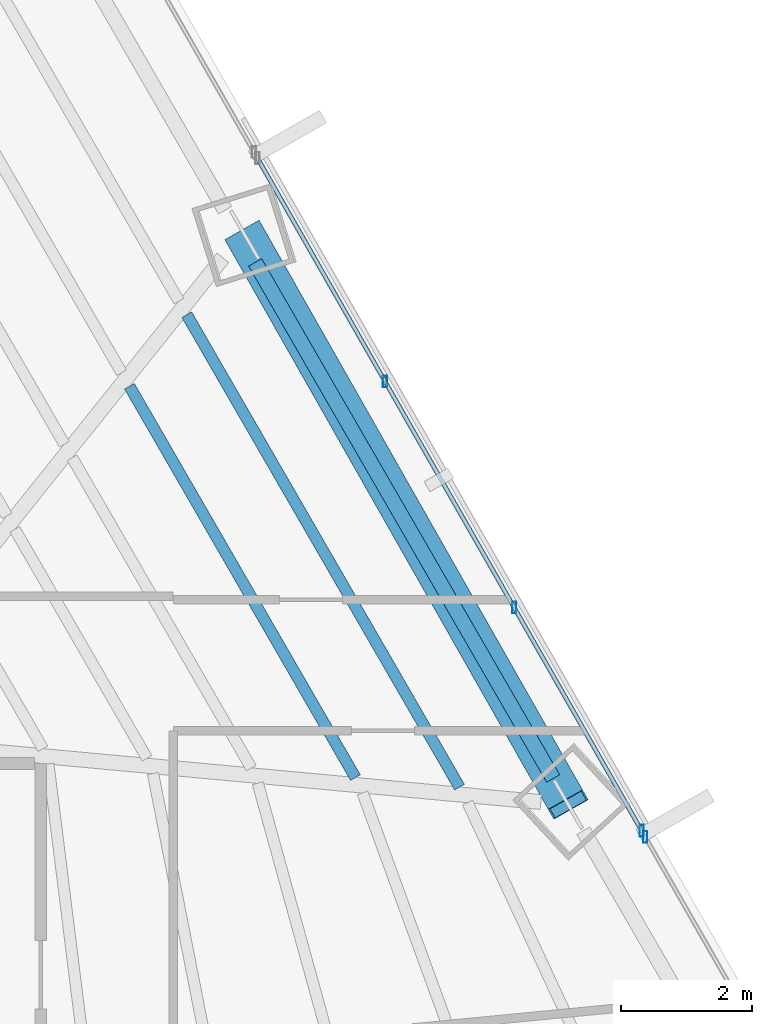
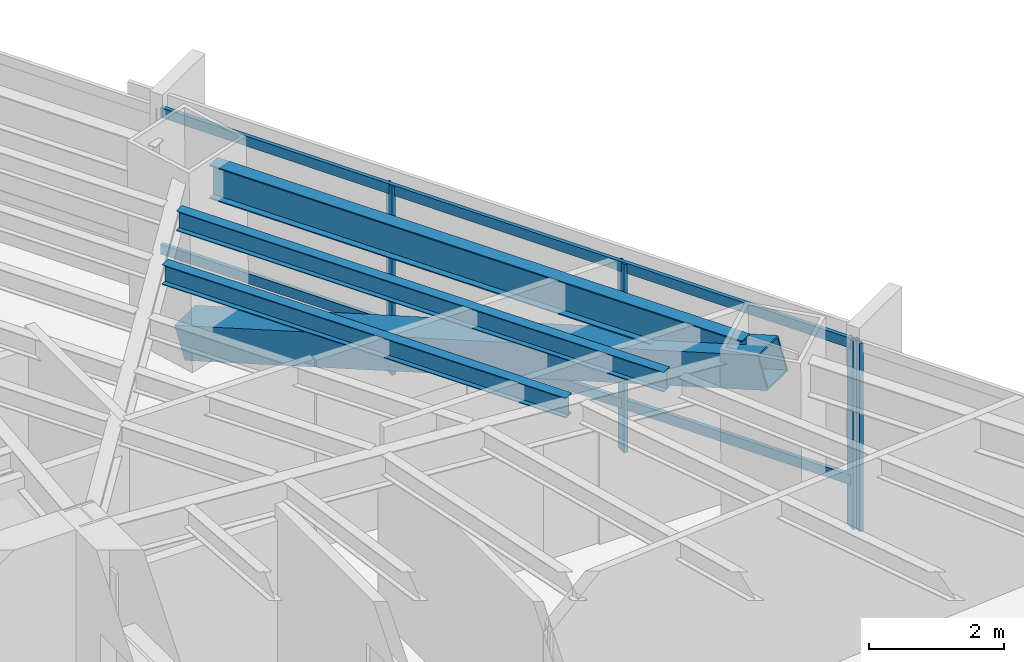
# One storey, part 21 of 35: 7 members, 3 beams, 2 elements without a shape of their own.
"""IFC4 building model written with IfcOpenShell, lengths in metres."""

import ifcopenshell
import ifcopenshell.guid

model = None  # the IFC model being written
_history = None  # IfcOwnerHistory: only IFC2X3 demands one
_inside = {}  # id of a spatial element -> (the spatial element, [elements in it])
_under = {}  # id of a project, library or spatial element -> (it, [spatial elements below it])
_declared = {}  # id of a project -> (the project, [libraries it declares])
_typed = {}  # id of a type object -> (the type object, [elements of that type])
_made_of = {}  # id of a material, layer set ... -> (it, [elements and type objects made of it])


def new_model(schema):
    """Start an empty IFC model of exactly this schema.

    Asked for "IFC4X3", IfcOpenShell would pick the latest addendum, in which some entities
    have other attributes; the version numbers below select the first issue.
    IFC2X3 requires an IfcOwnerHistory on every rooted entity: one is made here for all.
    """
    global model, _history
    if schema == "IFC4X3":
        model = ifcopenshell.file(schema_version=(4, 3, 0, 0))
    else:
        model = ifcopenshell.file(schema=schema)
    _inside.clear()
    _under.clear()
    _declared.clear()
    _typed.clear()
    _made_of.clear()
    _history = None
    if model.schema == "IFC2X3":
        org = make("IfcOrganization", Name="unknown")
        user = make(
            "IfcPersonAndOrganization",
            ThePerson=make("IfcPerson", FamilyName="unknown"),
            TheOrganization=org,
        )
        app = make(
            "IfcApplication",
            ApplicationDeveloper=org,
            Version="unknown",
            ApplicationFullName="unknown",
            ApplicationIdentifier="unknown",
        )
        _history = make(
            "IfcOwnerHistory",
            OwningUser=user,
            OwningApplication=app,
            ChangeAction="ADDED",
            CreationDate=0,
        )
    return model


def make(cls, **values):
    """One entity of the class cls with the attributes given. An attribute that is None is left unset."""
    return model.create_entity(
        cls, **{name: value for name, value in values.items() if value is not None}
    )


def rooted(cls, **values):
    """An entity with a GlobalId (a new one), such as an element, a storey or a relation."""
    return make(cls, GlobalId=ifcopenshell.guid.new(), OwnerHistory=_history, **values)


def si_unit(unit_type, name, prefix=None):
    """IfcSIUnit, for example si_unit("LENGTHUNIT", "METRE", prefix="MILLI")."""
    return make("IfcSIUnit", UnitType=unit_type, Prefix=prefix, Name=name)


def assignment(units):
    """IfcUnitAssignment: the units of a project."""
    return None if units is None else make("IfcUnitAssignment", Units=units)


def point(xyz):
    """IfcCartesianPoint."""
    return None if xyz is None else make("IfcCartesianPoint", Coordinates=xyz)


def direction(xyz):
    """IfcDirection."""
    return None if xyz is None else make("IfcDirection", DirectionRatios=xyz)


def frame(location, z_axis=None, x_axis=None):
    """IfcAxis2Placement3D, a coordinate frame: its origin and axes. An axis left out is left unset."""
    return make(
        "IfcAxis2Placement3D",
        Location=point(location),
        Axis=direction(z_axis),
        RefDirection=direction(x_axis),
    )


def frame_2d(location, x_axis=None):
    """IfcAxis2Placement2D, a coordinate frame in the plane: its origin and x axis."""
    return make(
        "IfcAxis2Placement2D", Location=point(location), RefDirection=direction(x_axis)
    )


def origin():
    """The frame at (0, 0, 0) with its axes left unset."""
    return frame((0.0, 0.0, 0.0))


def origin_2d():
    """The frame at (0, 0) in the plane with its x axis left unset."""
    return frame_2d((0.0, 0.0))


def place(relative_to, where):
    """IfcLocalPlacement: puts the frame where relative to a parent placement (None: the world)."""
    return make(
        "IfcLocalPlacement", PlacementRelTo=relative_to, RelativePlacement=where
    )


def context(
    kind, dimensions, precision=None, world=None, true_north=None, identifier=None
):
    """IfcGeometricRepresentationContext, for example the 3D "Model" context."""
    return make(
        "IfcGeometricRepresentationContext",
        ContextIdentifier=identifier,
        ContextType=kind,
        CoordinateSpaceDimension=dimensions,
        Precision=precision,
        WorldCoordinateSystem=world,
        TrueNorth=true_north,
    )


def subcontext(parent, identifier, kind, view, scale=None):
    """IfcGeometricRepresentationSubContext, for example "Body" below "Model"."""
    return make(
        "IfcGeometricRepresentationSubContext",
        ContextIdentifier=identifier,
        ContextType=kind,
        ParentContext=parent,
        TargetScale=scale,
        TargetView=view,
    )


def project(units=None, contexts=None):
    """IfcProject with its units and contexts."""
    return rooted(
        "IfcProject",
        Name="project",
        RepresentationContexts=contexts,
        UnitsInContext=assignment(units),
    )


def spatial(cls, under=None, at=None, **own):
    """A site, building, storey or space (cls), placed at a placement, below another one or the project."""
    s = rooted(cls, ObjectPlacement=at, **own)
    if under is not None:
        _under.setdefault(under.id(), (under, []))[1].append(s)
    return s


def profile(cls, at=None, kind="AREA", **sizes):
    """A parametric profile (cls). Its sizes go by their IFC names, for example OverallWidth=200.0."""
    return make(cls, ProfileType=kind, Position=at, **sizes)


def hollow_rectangle(**sizes):
    """IfcRectangleHollowProfileDef."""
    return profile("IfcRectangleHollowProfileDef", **sizes)


def i_section(**sizes):
    """IfcIShapeProfileDef."""
    return profile("IfcIShapeProfileDef", **sizes)


def extrude(swept, where, along, depth):
    """IfcExtrudedAreaSolid: the profile swept, set in the frame where, extruded along a direction by depth."""
    return make(
        "IfcExtrudedAreaSolid",
        SweptArea=swept,
        Position=where,
        ExtrudedDirection=direction(along),
        Depth=depth,
    )


def shape(context_of_items, identifier, shape_type, items):
    """IfcShapeRepresentation: the items that make up one representation, for example the "Body"."""
    return make(
        "IfcShapeRepresentation",
        ContextOfItems=context_of_items,
        RepresentationIdentifier=identifier,
        RepresentationType=shape_type,
        Items=items,
    )


def source(mapping_origin, context_of_items, identifier, shape_type, items):
    """IfcRepresentationMap: a shape defined once, which mapped items show again and again."""
    return make(
        "IfcRepresentationMap",
        MappingOrigin=mapping_origin,
        MappedRepresentation=shape(context_of_items, identifier, shape_type, items),
    )


def transform(
    local_origin,
    x_axis=None,
    y_axis=None,
    z_axis=None,
    scale=None,
    scale2=None,
    scale3=None,
    uniform=True,
):
    """IfcCartesianTransformationOperator3D, or its non-uniform kind. x_axis, y_axis, z_axis: its Axis1, 2, 3."""
    if uniform:
        return make(
            "IfcCartesianTransformationOperator3D",
            Axis1=direction(x_axis),
            Axis2=direction(y_axis),
            LocalOrigin=point(local_origin),
            Scale=scale,
            Axis3=direction(z_axis),
        )
    return make(
        "IfcCartesianTransformationOperator3DnonUniform",
        Axis1=direction(x_axis),
        Axis2=direction(y_axis),
        LocalOrigin=point(local_origin),
        Scale=scale,
        Axis3=direction(z_axis),
        Scale2=scale2,
        Scale3=scale3,
    )


def mapped(mapping_source, mapping_target):
    """IfcMappedItem: shows the shape of a source again, moved by a transform."""
    return make(
        "IfcMappedItem", MappingSource=mapping_source, MappingTarget=mapping_target
    )


def material(Name=None, Category=None):
    """IfcMaterial."""
    return make("IfcMaterial", Name=Name, Category=Category)


def material_profile(
    of_material, cross_section, Name=None, Category=None, Priority=None
):
    """IfcMaterialProfile: a cross section and its material."""
    return make(
        "IfcMaterialProfile",
        Name=Name,
        Material=of_material,
        Profile=cross_section,
        Priority=Priority,
        Category=Category,
    )


def profile_set(profiles, Name=None, composite=None):
    """IfcMaterialProfileSet."""
    return make(
        "IfcMaterialProfileSet",
        Name=Name,
        MaterialProfiles=profiles,
        CompositeProfile=composite,
    )


def made_of(thing, what):
    """Note that an element or type object is made of a material, layer set ...; save() writes the relation."""
    if what is not None:
        _made_of.setdefault(what.id(), (what, []))[1].append(thing)
    return thing


def type_object(cls, material=None, **own):
    """A type object (cls), such as IfcWallType, which elements share."""
    return made_of(rooted(cls, **own), material)


def type_shapes(of_type, sources):
    """Give a type object the sources (RepresentationMaps) that its elements show as mapped items."""
    of_type.RepresentationMaps = sources


def element(
    cls,
    number,
    at=None,
    inside=None,
    cuts=None,
    type_object=None,
    material=None,
    context=None,
    identifier="Body",
    shape_type=None,
    held_by="IfcProductDefinitionShape",
    body=None,
    shapes=None,
    **own,
):
    """One element of the class cls, such as IfcWall. Its Tag is "e" and its number.

    at: its placement. inside: the storey or other place that contains it. cuts: it is an
    opening in that element (IfcRelVoidsElement). A single representation is given by context,
    identifier, shape_type and body (its items); several are given by shapes. held_by: the class
    of the entity that holds the representations. save() writes the other relations.
    """
    e = rooted(cls, Tag="e%d" % number, ObjectPlacement=at, **own)
    if body is not None:
        shapes = [shape(context, identifier, shape_type, body)]
    if shapes is not None:
        e.Representation = make(held_by, Representations=shapes)
    if inside is not None:
        _inside.setdefault(inside.id(), (inside, []))[1].append(e)
    if cuts is not None:
        rooted(
            "IfcRelVoidsElement", RelatingBuildingElement=cuts, RelatedOpeningElement=e
        )
    if type_object is not None:
        _typed.setdefault(type_object.id(), (type_object, []))[1].append(e)
    return made_of(e, material)


def aggregate(whole, parts):
    """IfcRelAggregates: a whole, such as a stair, and the parts it consists of."""
    return rooted("IfcRelAggregates", RelatingObject=whole, RelatedObjects=parts)


def save(model, path):
    """Write the relations noted so far, then the file.

    IfcRelAggregates (storeys below a building ...), IfcRelContainedInSpatialStructure (elements
    in a storey), IfcRelDefinesByType, IfcRelAssociatesMaterial and IfcRelDeclares: one each for
    every whole, place, type object, material and project.
    """
    for whole, parts in _under.values():
        aggregate(whole, parts)
    for where, things in _inside.values():
        rooted(
            "IfcRelContainedInSpatialStructure",
            RelatedElements=things,
            RelatingStructure=where,
        )
    for kind, things in _typed.values():
        rooted("IfcRelDefinesByType", RelatedObjects=things, RelatingType=kind)
    for what, things in _made_of.values():
        rooted("IfcRelAssociatesMaterial", RelatedObjects=things, RelatingMaterial=what)
    for by, libraries in _declared.values():
        rooted("IfcRelDeclares", RelatingContext=by, RelatedDefinitions=libraries)
    model.write(path)


model = new_model("IFC4")

# Units and contexts
model_context = context("Model", 3, precision=1e-05, world=origin(), true_north=direction((0.0, 1.0)))
body_context = subcontext(model_context, "Body", "Model", "MODEL_VIEW")
ifc_project = project(units=[si_unit("LENGTHUNIT", "METRE"), si_unit("AREAUNIT", "SQUARE_METRE"), si_unit("VOLUMEUNIT", "CUBIC_METRE"), si_unit("PLANEANGLEUNIT", "RADIAN"), si_unit("MASSUNIT", "GRAM", prefix="KILO")], contexts=[model_context])

# Site, building, storey
site_placement = place(None, origin())
site = spatial("IfcSite", under=ifc_project, at=site_placement, CompositionType="ELEMENT")
building_placement = place(site_placement, origin())
building = spatial("IfcBuilding", under=site, at=building_placement, Name="Caelisora Broadcast Tower", CompositionType="ELEMENT")
storey_placement = place(building_placement, frame((0.0, 0.0, 53.14990234375)))
storey = spatial("IfcBuildingStorey", under=building, at=storey_placement, Name="L13", CompositionType="ELEMENT", Elevation=53.14990234375)

# Beams
ifc_material_1 = material(Name="Steel Grade 350 (AS/NZS 3679.1)", Category="steel")
ifc_material_profile_1 = material_profile(ifc_material_1, i_section(OverallWidth=0.22900390625, OverallDepth=0.611572265625, WebThickness=0.011962890625, FlangeThickness=0.01953125, at=origin_2d()), Name="Steel Grade 350 (AS/NZS 3679.1)")
ifc_profile_set_1 = profile_set([ifc_material_profile_1], Name="Steel Grade 350 (AS/NZS 3679.1)")
beam_type_1 = type_object("IfcBeamType", Name="PG03", PredefinedType="BEAM", material=ifc_profile_set_1)
shared_shape_1 = source(origin(), body_context, "Body", "SweptSolid", [
    extrude(i_section(OverallWidth=0.22900390625, OverallDepth=0.611572265625, WebThickness=0.011962890625, FlangeThickness=0.01953125, at=origin_2d()), origin(), (0.0, 0.0, 1.0), 9.09716796875),
])
type_shapes(beam_type_1, [shared_shape_1])
beam_1_placement = place(storey_placement, frame((56.401123046875, 29.37158203125, 3.09423828125), z_axis=(-0.499998124367, 0.866026486679, 0.0), x_axis=(-0.866026486679, -0.499998124367, 0.0)))
element("IfcBeam", 1, at=beam_1_placement, inside=storey, type_object=beam_type_1, Name="L13 beam PG03", PredefinedType="BEAM", context=body_context, shape_type="MappedRepresentation", body=[
    mapped(shared_shape_1, transform((0.0, 0.0, 0.0), scale=1.0)),
])
ifc_material_profile_2 = material_profile(ifc_material_1, i_section(OverallWidth=0.172119140625, OverallDepth=0.358642578125, WebThickness=0.008056640625, FlangeThickness=0.012939453125, at=origin_2d()), Name="Steel Grade 350 (AS/NZS 3679.1)")
ifc_profile_set_2 = profile_set([ifc_material_profile_2], Name="Steel Grade 350 (AS/NZS 3679.1)")
beam_type_2 = type_object("IfcBeamType", Name="SB02", PredefinedType="JOIST", material=ifc_profile_set_2)
shared_shape_2 = source(origin(), body_context, "Body", "SweptSolid", [
    extrude(i_section(OverallWidth=0.172119140625, OverallDepth=0.358642578125, WebThickness=0.008056640625, FlangeThickness=0.012939453125, at=origin_2d()), origin(), (0.0, 0.0, 1.0), 6.89892578125),
])
beam_2_placement = place(storey_placement, frame((53.382568359375, 29.385009765625, 3.220703125), z_axis=(-0.500028775594, 0.86600878955, 0.0), x_axis=(-0.86600878955, -0.500028775594, 0.0)))
element("IfcBeam", 2, at=beam_2_placement, inside=storey, type_object=beam_type_2, Name="L13 beam SB02", PredefinedType="JOIST", context=body_context, shape_type="MappedRepresentation", body=[
    mapped(shared_shape_2, transform((0.0, 0.0, 0.0), scale=1.0)),
])
shared_shape_3 = source(origin(), body_context, "Body", "SweptSolid", [
    extrude(i_section(OverallWidth=0.172119140625, OverallDepth=0.358642578125, WebThickness=0.008056640625, FlangeThickness=0.012939453125, at=origin_2d()), origin(), (0.0, 0.0, 1.0), 8.330078125),
])
type_shapes(beam_type_2, [shared_shape_2, shared_shape_3])
beam_3_placement = place(storey_placement, frame((54.97265625, 29.23828125, 3.220703125), z_axis=(-0.499997294027, 0.866026966073, 0.0), x_axis=(-0.866026966073, -0.499997294027, 0.0)))
element("IfcBeam", 3, at=beam_3_placement, inside=storey, type_object=beam_type_2, Name="L13 beam SB02", PredefinedType="JOIST", context=body_context, shape_type="MappedRepresentation", body=[
    mapped(shared_shape_3, transform((0.0, 0.0, 0.0), scale=1.0)),
])

# Member
ifc_material_2 = material(Name="Steel Grade 450 L15 (AS/NZS 3678)", Category="steel")
ifc_material_profile_3 = material_profile(ifc_material_2, hollow_rectangle(XDim=0.60009765625, YDim=0.60009765625, WallThickness=0.02490234375, at=origin_2d()), Name="Steel Grade 450 L15 (AS/NZS 3678)")
ifc_profile_set_3 = profile_set([ifc_material_profile_3], Name="Steel Grade 450 L15 (AS/NZS 3678)")
member_type_1 = type_object("IfcMemberType", Name="BR01", PredefinedType="BRACE", material=ifc_profile_set_3)
shared_shape_4 = source(origin(), body_context, "Body", "SweptSolid", [
    extrude(hollow_rectangle(XDim=0.60009765625, YDim=0.60009765625, WallThickness=0.02490234375, at=origin_2d()), origin(), (0.0, 0.0, 1.0), 10.441162109375),
])
type_shapes(member_type_1, [shared_shape_4])
member_1_placement = place(storey_placement, frame((56.631103515625, 28.973388671875, 3.10009765625), z_axis=(-0.472907813485, 0.832949074896, -0.287322186012), x_axis=(-0.869617365321, -0.493726278349, 0.0)))
element("IfcMember", 4, at=member_1_placement, inside=storey, type_object=member_type_1, Name="L13 perimeter brace BR01", PredefinedType="BRACE", context=body_context, shape_type="MappedRepresentation", body=[
    mapped(shared_shape_4, transform((0.0, 0.0, 0.0), scale=1.0)),
])

# Curtain wall, members
ifc_material_3 = material(Name="Unitised Aluminium Insulated Shadow-Box Spandrel Curtain Wall", Category="aluminium")
curtain_wall_type_1 = type_object("IfcCurtainWallType", Name="CW-SP1", PredefinedType="NOTDEFINED", material=ifc_material_3)
curtain_wall_1_placement = place(storey_placement, origin())
curtain_wall_1 = element("IfcCurtainWall", 5, at=curtain_wall_1_placement, inside=storey, type_object=curtain_wall_type_1, Name="L13 curtain wall CW-SP1", PredefinedType="NOTDEFINED")
ifc_material_4 = material(Name="Aluminium 6063-T6 Anodised Terracotta Bronze", Category="aluminium")
ifc_material_profile_4 = material_profile(ifc_material_4, hollow_rectangle(XDim=0.06494140625, YDim=0.179931640625, WallThickness=0.00341796875, at=origin_2d()), Name="Aluminium 6063-T6 Anodised Terracotta Bronze")
ifc_profile_set_4 = profile_set([ifc_material_profile_4], Name="Aluminium 6063-T6 Anodised Terracotta Bronze")
member_type_2 = type_object("IfcMemberType", Name="CWM-02", PredefinedType="MULLION", material=ifc_profile_set_4)
shared_shape_5 = source(origin(), body_context, "Body", "SweptSolid", [
    extrude(hollow_rectangle(XDim=0.06494140625, YDim=0.179931640625, WallThickness=0.00341796875, at=origin_2d()), origin(), (0.0, 0.0, 1.0), 3.400146484375),
])
type_shapes(member_type_2, [shared_shape_5])
member_2_placement = place(storey_placement, frame((53.834716796875, 35.43310546875, 0.0), z_axis=(0.0, 0.0, 1.0), x_axis=(1.0, 0.0, 0.0)))
member_2 = element("IfcMember", 6, at=member_2_placement, type_object=member_type_2, Name="L13-CW-B02 mullion #1", PredefinedType="MULLION", context=body_context, shape_type="MappedRepresentation", body=[
    mapped(shared_shape_5, transform((0.0, 0.0, 0.0), scale=1.0)),
])
member_3_placement = place(storey_placement, frame((55.80615234375, 31.981689453125, 0.0), z_axis=(0.0, 0.0, 1.0), x_axis=(1.0, 0.0, 0.0)))
member_3 = element("IfcMember", 7, at=member_3_placement, type_object=member_type_2, Name="L13-CW-B02 mullion #2", PredefinedType="MULLION", context=body_context, shape_type="MappedRepresentation", body=[
    mapped(shared_shape_5, transform((0.0, 0.0, 0.0), scale=1.0)),
])
member_4_placement = place(storey_placement, frame((57.7529296875, 28.573974609375, 0.0), z_axis=(0.0, 0.0, 1.0), x_axis=(1.0, 0.0, 0.0)))
member_4 = element("IfcMember", 8, at=member_4_placement, type_object=member_type_2, Name="L13-CW-B02 mullion #3", PredefinedType="MULLION", context=body_context, shape_type="MappedRepresentation", body=[
    mapped(shared_shape_5, transform((0.0, 0.0, 0.0), scale=1.0)),
])

# Curtain wall, member
ifc_material_5 = material(Name="Unitised Aluminium and Low-E Glass Curtain Wall", Category="glass")
curtain_wall_type_2 = type_object("IfcCurtainWallType", Name="CW-Z1", PredefinedType="NOTDEFINED", material=ifc_material_5)
curtain_wall_2_placement = place(storey_placement, origin())
curtain_wall_2 = element("IfcCurtainWall", 9, at=curtain_wall_2_placement, inside=storey, type_object=curtain_wall_type_2, Name="L13 curtain wall CW-Z1", PredefinedType="NOTDEFINED")
member_5_placement = place(storey_placement, frame((57.8076171875, 28.478515625, 0.0), z_axis=(0.0, 0.0, 1.0), x_axis=(1.0, 0.0, 0.0)))
member_5 = element("IfcMember", 10, at=member_5_placement, type_object=member_type_2, Name="L13-CW-B03 mullion #0", PredefinedType="MULLION", context=body_context, shape_type="MappedRepresentation", body=[
    mapped(shared_shape_5, transform((0.0, 0.0, 0.0), scale=1.0)),
])
aggregate(curtain_wall_2, [member_5])

# Member
ifc_material_profile_5 = material_profile(ifc_material_4, hollow_rectangle(XDim=0.06494140625, YDim=0.179931640625, WallThickness=0.00341796875, at=origin_2d()), Name="Aluminium 6063-T6 Anodised Terracotta Bronze")
ifc_profile_set_5 = profile_set([ifc_material_profile_5], Name="Aluminium 6063-T6 Anodised Terracotta Bronze")
member_type_3 = type_object("IfcMemberType", Name="CWT-01", PredefinedType="USERDEFINED", material=ifc_profile_set_5)
shared_shape_6 = source(origin(), body_context, "Body", "SweptSolid", [
    extrude(hollow_rectangle(XDim=0.06494140625, YDim=0.179931640625, WallThickness=0.00341796875, at=origin_2d()), origin(), (0.0, 0.0, 1.0), 11.82421875),
])
type_shapes(member_type_3, [shared_shape_6])
member_6_placement = place(storey_placement, frame((51.887939453125, 38.841064453125, 0.85009765625), z_axis=(0.496016636274, -0.868313017603, 0.0), x_axis=(0.868313017603, 0.496016636274, 0.0)))
member_6 = element("IfcMember", 11, at=member_6_placement, type_object=member_type_3, Name="L13-CW-B02 transom #1", ObjectType="TRANSOM", PredefinedType="USERDEFINED", context=body_context, shape_type="MappedRepresentation", body=[
    mapped(shared_shape_6, transform((0.0, 0.0, 0.0), scale=1.0)),
])

member_7_placement = place(storey_placement, frame((51.887939453125, 38.841064453125, 3.320068359375), z_axis=(0.496016636274, -0.868313017603, 0.0), x_axis=(0.868313017603, 0.496016636274, 0.0)))
member_7 = element("IfcMember", 12, at=member_7_placement, type_object=member_type_3, Name="L13-CW-B02 transom #2", ObjectType="TRANSOM", PredefinedType="USERDEFINED", context=body_context, shape_type="MappedRepresentation", body=[
    mapped(shared_shape_6, transform((0.0, 0.0, 0.0), scale=1.0)),
])

aggregate(curtain_wall_1, [member_2, member_3, member_4, member_6, member_7])

save(model, "model.ifc")
